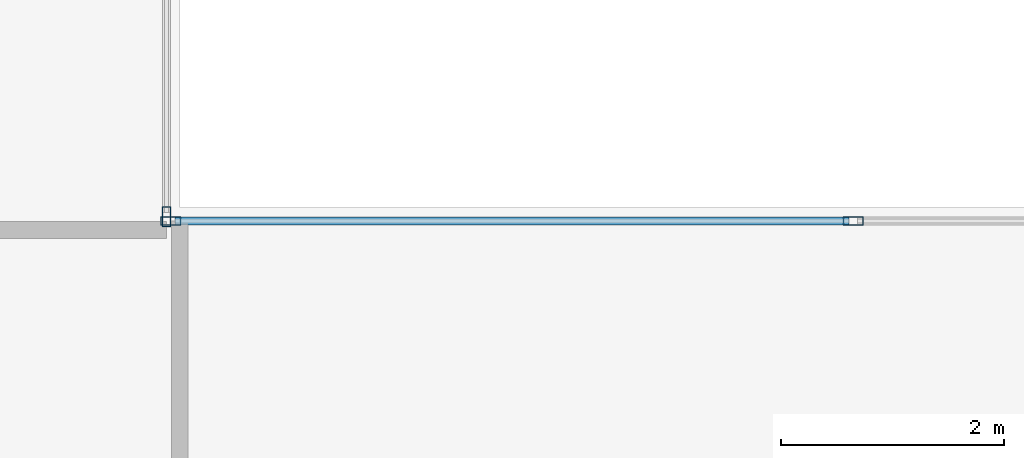
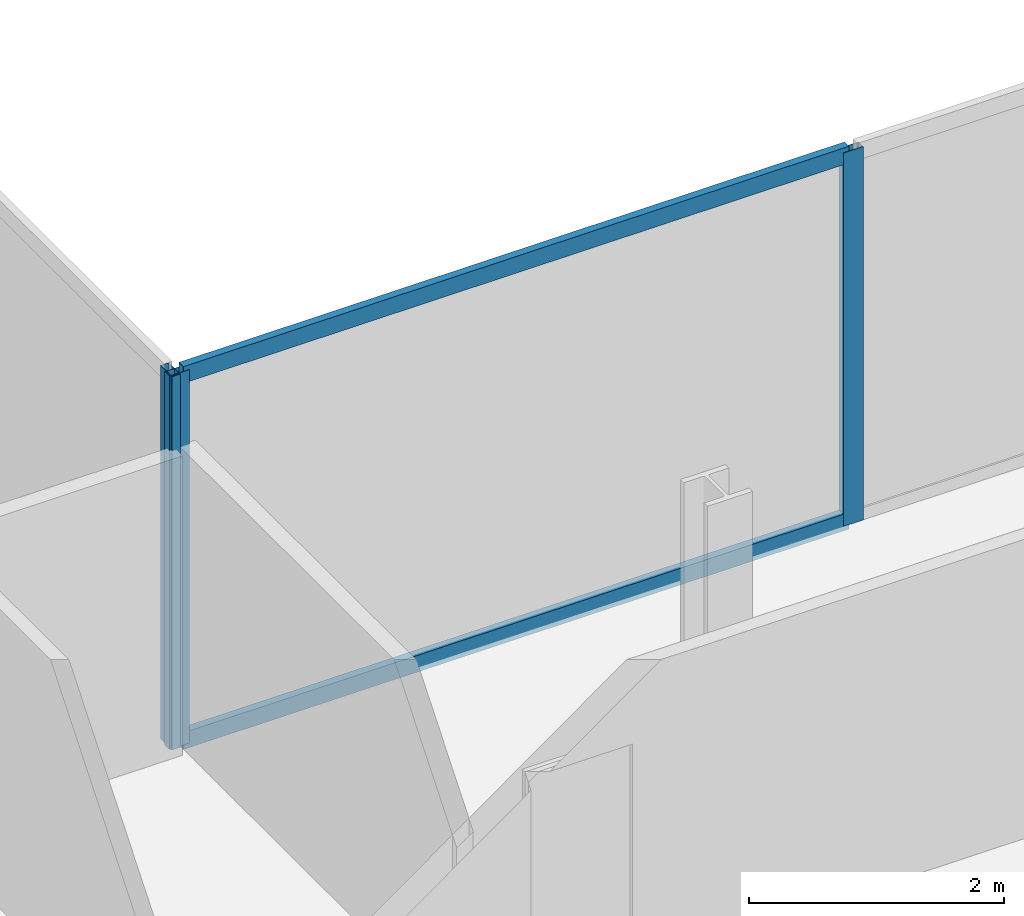
# One storey, part 7 of 23: 5 members, 2 elements without a shape of their own.
"""IFC4 building model written with IfcOpenShell, lengths in metres."""

from ifc_helpers import new_model, si_unit, direction, frame, origin, origin_2d, place, context, subcontext, project, spatial, hollow_rectangle, extrude, material, material_profile, profile_set, type_object, element, aggregate, save


model = new_model("IFC4")

# Units and contexts
model_context = context("Model", 3, precision=1e-05, world=origin(), true_north=direction((0.0, 1.0)))
body_context = subcontext(model_context, "Body", "Model", "MODEL_VIEW")
ifc_project = project(units=[si_unit("LENGTHUNIT", "METRE"), si_unit("AREAUNIT", "SQUARE_METRE"), si_unit("VOLUMEUNIT", "CUBIC_METRE"), si_unit("PLANEANGLEUNIT", "RADIAN"), si_unit("MASSUNIT", "GRAM", prefix="KILO")], contexts=[model_context])

# Site, building, storey
site_placement = place(None, origin())
site = spatial("IfcSite", under=ifc_project, at=site_placement, CompositionType="ELEMENT")
building_placement = place(site_placement, origin())
building = spatial("IfcBuilding", under=site, at=building_placement, Name="Cobrela Telecom Tower", CompositionType="ELEMENT")
storey_placement = place(building_placement, frame((0.0, 0.0, 125.300048828125)))
storey = spatial("IfcBuildingStorey", under=building, at=storey_placement, Name="L31", CompositionType="ELEMENT", Elevation=125.300048828125)

# Curtain wall, member
ifc_material = material(Name="Anodized Bronze Aluminium 6063-T6", Category="aluminium")
curtain_wall_type = type_object("IfcCurtainWallType", Name="CW-SYS-TEL", PredefinedType="USERDEFINED", material=ifc_material)
curtain_wall_1_placement = place(storey_placement, origin())
curtain_wall_1 = element("IfcCurtainWall", 1, at=curtain_wall_1_placement, inside=storey, type_object=curtain_wall_type, Name="L31 Unitised Bronze Curtain Wall 10", ObjectType="UNITISED CURTAIN WALL", PredefinedType="USERDEFINED")
ifc_material_profile_1 = material_profile(ifc_material, hollow_rectangle(XDim=0.074951171875, YDim=0.179931640625, WallThickness=0.00390625, at=origin_2d()), Name="ALU 75x180x4")
ifc_profile_set_1 = profile_set([ifc_material_profile_1], Name="Anodized Bronze Aluminium 6063-T6")
member_type_1 = type_object("IfcMemberType", Name="CW-SYS-TEL-MUL", PredefinedType="MULLION", material=ifc_profile_set_1)
member_1_placement = place(storey_placement, frame((25.8798828125, 25.117431640625, 0.0), z_axis=(0.0, 0.0, 1.0), x_axis=(1.0, 0.0, 0.0)))
member_1 = element("IfcMember", 2, at=member_1_placement, type_object=member_type_1, Name="CW-TEL mullion 3", PredefinedType="MULLION", context=body_context, shape_type="SweptSolid", body=[
    extrude(hollow_rectangle(XDim=0.074951171875, YDim=0.179931640625, WallThickness=0.00390625, at=origin_2d()), origin(), (0.0, 0.0, 1.0), 3.579833984375),
])
aggregate(curtain_wall_1, [member_1])

# Curtain wall, members
curtain_wall_2_placement = place(storey_placement, origin())
curtain_wall_2 = element("IfcCurtainWall", 3, at=curtain_wall_2_placement, inside=storey, type_object=curtain_wall_type, Name="L31 Unitised Bronze Curtain Wall 11", ObjectType="UNITISED CURTAIN WALL", PredefinedType="USERDEFINED")
member_2_placement = place(storey_placement, frame((25.91748046875, 25.080078125, 0.0), z_axis=(0.0, 0.0, 1.0), x_axis=(0.0, 1.0, 0.0)))
member_2 = element("IfcMember", 4, at=member_2_placement, type_object=member_type_1, Name="CW-TEL mullion 1", PredefinedType="MULLION", context=body_context, shape_type="SweptSolid", body=[
    extrude(hollow_rectangle(XDim=0.074951171875, YDim=0.179931640625, WallThickness=0.00390625, at=origin_2d()), origin(), (0.0, 0.0, 1.0), 3.579833984375),
])
member_3_placement = place(storey_placement, frame((32.030029296875, 25.080078125, 0.0), z_axis=(0.0, 0.0, 1.0), x_axis=(0.0, 1.0, 0.0)))
member_3 = element("IfcMember", 5, at=member_3_placement, type_object=member_type_1, Name="CW-TEL mullion 2", PredefinedType="MULLION", context=body_context, shape_type="SweptSolid", body=[
    extrude(hollow_rectangle(XDim=0.074951171875, YDim=0.179931640625, WallThickness=0.00390625, at=origin_2d()), origin(), (0.0, 0.0, 1.0), 3.579833984375),
])
ifc_material_profile_2 = material_profile(ifc_material, hollow_rectangle(XDim=0.070068359375, YDim=0.159912109375, WallThickness=0.00390625, at=origin_2d()), Name="ALU 70x160x4")
ifc_profile_set_2 = profile_set([ifc_material_profile_2], Name="Anodized Bronze Aluminium 6063-T6")
member_type_2 = type_object("IfcMemberType", Name="CW-SYS-TEL-TRN", PredefinedType="USERDEFINED", material=ifc_profile_set_2)
member_4_placement = place(storey_placement, frame((25.955078125, 25.080078125, 0.034912109375), z_axis=(1.0, 0.0, 0.0), x_axis=(0.0, 1.0, 0.0)))
member_4 = element("IfcMember", 6, at=member_4_placement, type_object=member_type_2, Name="CW-TEL transom 1.1", ObjectType="TRANSOM", PredefinedType="USERDEFINED", context=body_context, shape_type="SweptSolid", body=[
    extrude(hollow_rectangle(XDim=0.070068359375, YDim=0.159912109375, WallThickness=0.00390625, at=origin_2d()), origin(), (0.0, 0.0, 1.0), 6.037353515625),
])
member_5_placement = place(storey_placement, frame((25.955078125, 25.080078125, 3.544921875), z_axis=(1.0, 0.0, 0.0), x_axis=(0.0, 1.0, 0.0)))
member_5 = element("IfcMember", 7, at=member_5_placement, type_object=member_type_2, Name="CW-TEL transom 1.2", ObjectType="TRANSOM", PredefinedType="USERDEFINED", context=body_context, shape_type="SweptSolid", body=[
    extrude(hollow_rectangle(XDim=0.070068359375, YDim=0.159912109375, WallThickness=0.00390625, at=origin_2d()), origin(), (0.0, 0.0, 1.0), 6.037353515625),
])
aggregate(curtain_wall_2, [member_2, member_3, member_4, member_5])

save(model, "model.ifc")
